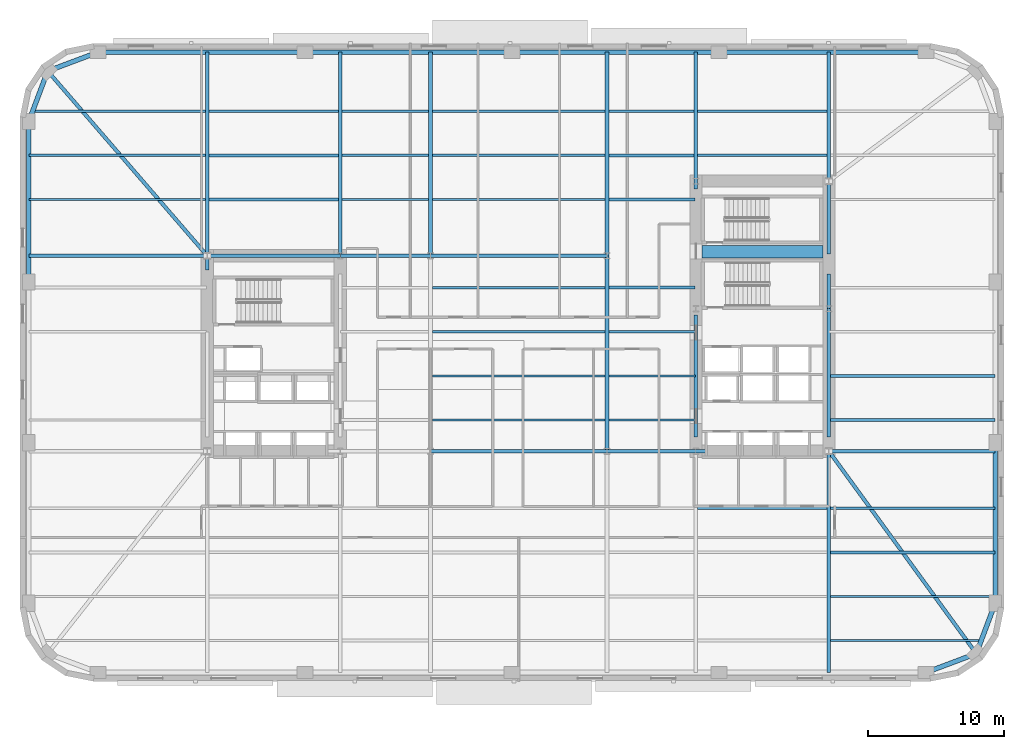
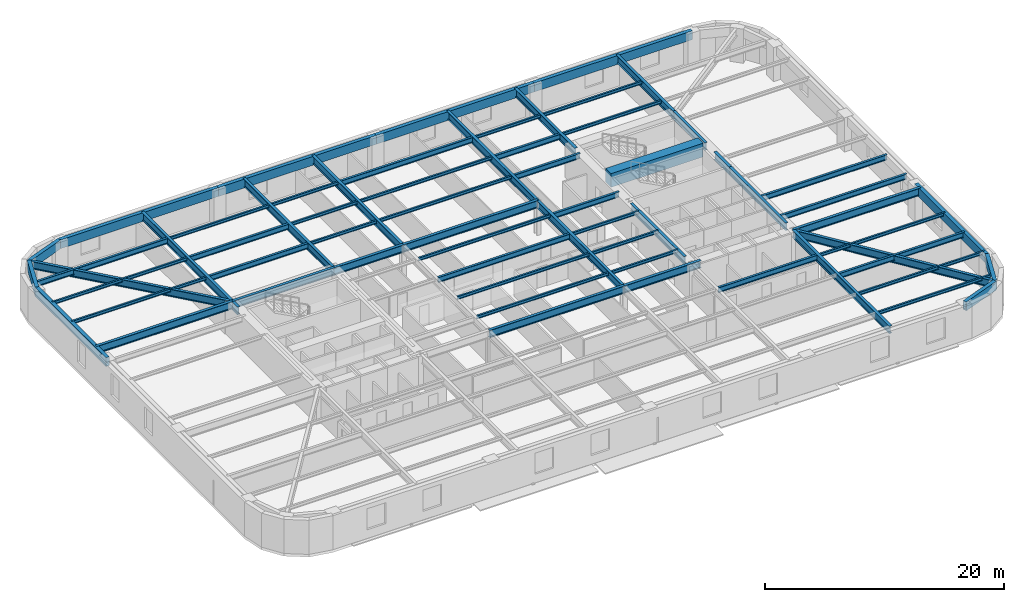
# One storey, part 2 of 14: 64 beams.
"""IFC4 building model written with IfcOpenShell, lengths in metres."""

from ifc_helpers import new_model, si_unit, direction, frame, origin, origin_2d, place, context, subcontext, project, spatial, rectangle, hollow_rectangle, i_section, extrude, material, material_profile, profile_set, type_object, element, save


model = new_model("IFC4")

# Units and contexts
model_context = context("Model", 3, precision=1e-05, world=origin(), true_north=direction((0.0, 1.0)))
body_context = subcontext(model_context, "Body", "Model", "MODEL_VIEW")
ifc_project = project(units=[si_unit("LENGTHUNIT", "METRE"), si_unit("AREAUNIT", "SQUARE_METRE"), si_unit("VOLUMEUNIT", "CUBIC_METRE"), si_unit("PLANEANGLEUNIT", "RADIAN"), si_unit("MASSUNIT", "GRAM", prefix="KILO")], contexts=[model_context])

# Site, building, storey
site_placement = place(None, origin())
site = spatial("IfcSite", under=ifc_project, at=site_placement, CompositionType="ELEMENT")
building_placement = place(site_placement, origin())
building = spatial("IfcBuilding", under=site, at=building_placement, Name="Kolvaren Arena Tower", CompositionType="ELEMENT")
storey_placement = place(building_placement, frame((0.0, 0.0, 87.0)))
storey = spatial("IfcBuildingStorey", under=building, at=storey_placement, Name="L19", CompositionType="ELEMENT", Elevation=87.0)

# Beams
ifc_material_1 = material(Name="Steel CSA G40.21 350W", Category="steel")
ifc_material_profile_1 = material_profile(ifc_material_1, i_section(OverallWidth=0.2119140625, OverallDepth=0.54296875, WebThickness=0.01318359375, FlangeThickness=0.0244140625, FilletRadius=0.013916015625, at=origin_2d()), Name="W530x150")
ifc_profile_set_1 = profile_set([ifc_material_profile_1], Name="Steel CSA G40.21 350W")
beam_type_1 = type_object("IfcBeamType", Name="BEAM-F1", PredefinedType="BEAM", material=ifc_profile_set_1)
beam_1_placement = place(storey_placement, frame((60.485107421875, 12.0, 3.20849609375), z_axis=(1.0, 0.0, 0.0), x_axis=(0.0, 1.0, 0.0)))
element("IfcBeam", 1, at=beam_1_placement, inside=storey, type_object=beam_type_1, Name="Composite Floor Beam (L19)", PredefinedType="BEAM", context=body_context, shape_type="SweptSolid", body=[
    extrude(i_section(OverallWidth=0.2119140625, OverallDepth=0.54296875, WebThickness=0.01318359375, FlangeThickness=0.0244140625, FilletRadius=0.013916015625, at=origin_2d()), origin(), (0.0, 0.0, 1.0), 12.114990234375),
])
beam_2_placement = place(storey_placement, frame((50.68505859375, 15.25, 3.20849609375), z_axis=(1.0, 0.0, 0.0), x_axis=(0.0, 1.0, 0.0)))
element("IfcBeam", 2, at=beam_2_placement, inside=storey, type_object=beam_type_1, Name="Composite Floor Beam (L19)", PredefinedType="BEAM", context=body_context, shape_type="SweptSolid", body=[
    extrude(i_section(OverallWidth=0.2119140625, OverallDepth=0.54296875, WebThickness=0.01318359375, FlangeThickness=0.0244140625, FilletRadius=0.013916015625, at=origin_2d()), origin(), (0.0, 0.0, 1.0), 9.530029296875),
])
for number, where, z_axis, x_axis, name in (
    (3, (60.3701171875, 21.75, 3.20849609375), (1.0, 0.0, 0.0), (0.0, 1.0, 0.0), "Composite Floor Beam (L19)"),
    (4, (60.3701171875, 25.0, 3.20849609375), (1.0, 0.0, 0.0), (0.0, 1.0, 0.0), "Composite Floor Beam (L19)"),
):
    element("IfcBeam", number, at=place(storey_placement, frame(where, z_axis=z_axis, x_axis=x_axis)), inside=storey, type_object=beam_type_1, Name=name, PredefinedType="BEAM", context=body_context, shape_type="SweptSolid", body=[
        extrude(i_section(OverallWidth=0.2119140625, OverallDepth=0.54296875, WebThickness=0.01318359375, FlangeThickness=0.0244140625, FilletRadius=0.013916015625, at=origin_2d()), origin(), (0.0, 0.0, 1.0), 12.22998046875),
    ])
beam_3_placement = place(storey_placement, frame((31.135009765625, 28.25, 3.20849609375), z_axis=(1.0, 0.0, 0.0), x_axis=(0.0, 1.0, 0.0)))
element("IfcBeam", 5, at=beam_3_placement, inside=storey, type_object=beam_type_1, Name="Composite Floor Beam (L19)", PredefinedType="BEAM", context=body_context, shape_type="SweptSolid", body=[
    extrude(i_section(OverallWidth=0.2119140625, OverallDepth=0.54296875, WebThickness=0.01318359375, FlangeThickness=0.0244140625, FilletRadius=0.013916015625, at=origin_2d()), origin(), (0.0, 0.0, 1.0), 12.72998046875),
])
beam_4_placement = place(storey_placement, frame((44.135009765625, 31.5, 3.20849609375), z_axis=(1.0, 0.0, 0.0), x_axis=(0.0, 1.0, 0.0)))
element("IfcBeam", 6, at=beam_4_placement, inside=storey, type_object=beam_type_1, Name="Composite Floor Beam (L19)", PredefinedType="BEAM", context=body_context, shape_type="SweptSolid", body=[
    extrude(i_section(OverallWidth=0.2119140625, OverallDepth=0.54296875, WebThickness=0.01318359375, FlangeThickness=0.0244140625, FilletRadius=0.013916015625, at=origin_2d()), origin(), (0.0, 0.0, 1.0), 6.344970703125),
])
beam_5_placement = place(storey_placement, frame((14.68505859375, 38.0, 3.20849609375), z_axis=(1.0, 0.0, 0.0), x_axis=(0.0, 1.0, 0.0)))
element("IfcBeam", 7, at=beam_5_placement, inside=storey, type_object=beam_type_1, Name="Composite Floor Beam (L19)", PredefinedType="BEAM", context=body_context, shape_type="SweptSolid", body=[
    extrude(i_section(OverallWidth=0.2119140625, OverallDepth=0.54296875, WebThickness=0.01318359375, FlangeThickness=0.0244140625, FilletRadius=0.013916015625, at=origin_2d()), origin(), (0.0, 0.0, 1.0), 9.530029296875),
])
beam_6_placement = place(storey_placement, frame((44.135009765625, 38.0, 3.20849609375), z_axis=(1.0, 0.0, 0.0), x_axis=(0.0, 1.0, 0.0)))
element("IfcBeam", 8, at=beam_6_placement, inside=storey, type_object=beam_type_1, Name="Composite Floor Beam (L19)", PredefinedType="BEAM", context=body_context, shape_type="SweptSolid", body=[
    extrude(i_section(OverallWidth=0.2119140625, OverallDepth=0.54296875, WebThickness=0.01318359375, FlangeThickness=0.0244140625, FilletRadius=0.013916015625, at=origin_2d()), origin(), (0.0, 0.0, 1.0), 6.344970703125),
])
beam_7_placement = place(storey_placement, frame((14.68505859375, 41.25, 3.20849609375), z_axis=(1.0, 0.0, 0.0), x_axis=(0.0, 1.0, 0.0)))
element("IfcBeam", 9, at=beam_7_placement, inside=storey, type_object=beam_type_1, Name="Composite Floor Beam (L19)", PredefinedType="BEAM", context=body_context, shape_type="SweptSolid", body=[
    extrude(i_section(OverallWidth=0.2119140625, OverallDepth=0.54296875, WebThickness=0.01318359375, FlangeThickness=0.0244140625, FilletRadius=0.013916015625, at=origin_2d()), origin(), (0.0, 0.0, 1.0), 9.530029296875),
])
beam_8_placement = place(storey_placement, frame((44.135009765625, 41.25, 3.20849609375), z_axis=(1.0, 0.0, 0.0), x_axis=(0.0, 1.0, 0.0)))
element("IfcBeam", 10, at=beam_8_placement, inside=storey, type_object=beam_type_1, Name="Composite Floor Beam (L19)", PredefinedType="BEAM", context=body_context, shape_type="SweptSolid", body=[
    extrude(i_section(OverallWidth=0.2119140625, OverallDepth=0.54296875, WebThickness=0.01318359375, FlangeThickness=0.0244140625, FilletRadius=0.013916015625, at=origin_2d()), origin(), (0.0, 0.0, 1.0), 6.280029296875),
])
beam_9_placement = place(storey_placement, frame((1.681396484375, 44.5, 3.20849609375), z_axis=(1.0, 0.0, 0.0), x_axis=(0.0, 1.0, 0.0)))
element("IfcBeam", 11, at=beam_9_placement, inside=storey, type_object=beam_type_1, Name="Composite Floor Beam (L19)", PredefinedType="BEAM", context=body_context, shape_type="SweptSolid", body=[
    extrude(i_section(OverallWidth=0.2119140625, OverallDepth=0.54296875, WebThickness=0.01318359375, FlangeThickness=0.0244140625, FilletRadius=0.013916015625, at=origin_2d()), origin(), (0.0, 0.0, 1.0), 12.733642578125),
])
beam_10_placement = place(storey_placement, frame((31.135009765625, 44.5, 3.20849609375), z_axis=(1.0, 0.0, 0.0), x_axis=(0.0, 1.0, 0.0)))
element("IfcBeam", 12, at=beam_10_placement, inside=storey, type_object=beam_type_1, Name="Composite Floor Beam (L19)", PredefinedType="BEAM", context=body_context, shape_type="SweptSolid", body=[
    extrude(i_section(OverallWidth=0.2119140625, OverallDepth=0.54296875, WebThickness=0.01318359375, FlangeThickness=0.0244140625, FilletRadius=0.013916015625, at=origin_2d()), origin(), (0.0, 0.0, 1.0), 12.72998046875),
])
ifc_material_2 = material(Name="Concrete 75 MPa", Category="concrete")
ifc_material_profile_2 = material_profile(ifc_material_2, rectangle(XDim=0.89990234375, YDim=1.39990234375, at=origin_2d()), Name="RC-900x1400")
ifc_profile_set_2 = profile_set([ifc_material_profile_2], Name="Concrete 75 MPa")
beam_type_2 = type_object("IfcBeamType", Name="CB-CORE-1", PredefinedType="BEAM", material=ifc_profile_set_2)
beam_11_placement = place(storey_placement, frame((51.0, 34.14990234375, 3.050048828125), z_axis=(1.0, 0.0, 0.0), x_axis=(0.0, 1.0, 0.0)))
element("IfcBeam", 13, at=beam_11_placement, inside=storey, type_object=beam_type_2, Name="East Core Coupling Beam (L19)", PredefinedType="BEAM", context=body_context, shape_type="SweptSolid", body=[
    extrude(rectangle(XDim=0.89990234375, YDim=1.39990234375, at=origin_2d()), origin(), (0.0, 0.0, 1.0), 8.89990234375),
])
ifc_material_profile_3 = material_profile(ifc_material_1, i_section(OverallWidth=0.27001953125, OverallDepth=0.77294921875, WebThickness=0.019287109375, FlangeThickness=0.033447265625, FilletRadius=0.01806640625, at=origin_2d()), Name="W760x257")
ifc_profile_set_3 = profile_set([ifc_material_profile_3], Name="Steel CSA G40.21 350W")
beam_type_3 = type_object("IfcBeamType", Name="GIRD-T1", PredefinedType="BEAM", material=ifc_profile_set_3)
beam_12_placement = place(storey_placement, frame((71.208740234375, 4.541259765625, 3.093505859375), z_axis=(-0.588737448901, 0.80832432616, 0.0), x_axis=(-0.80832432616, -0.588737448901, 0.0)))
element("IfcBeam", 14, at=beam_12_placement, inside=storey, type_object=beam_type_3, Name="Corner Diagonal Tie Girder (L19)", PredefinedType="BEAM", context=body_context, shape_type="SweptSolid", body=[
    extrude(i_section(OverallWidth=0.27001953125, OverallDepth=0.77294921875, WebThickness=0.019287109375, FlangeThickness=0.033447265625, FilletRadius=0.01806640625, at=origin_2d()), origin(), (0.0, 0.0, 1.0), 18.44384765625),
])
beam_13_placement = place(storey_placement, frame((2.791259765625, 47.458740234375, 3.093505859375), z_axis=(0.653806810332, -0.756661519283, 0.0), x_axis=(0.756661519283, 0.653806810332, 0.0)))
element("IfcBeam", 15, at=beam_13_placement, inside=storey, type_object=beam_type_3, Name="Corner Diagonal Tie Girder (L19)", PredefinedType="BEAM", context=body_context, shape_type="SweptSolid", body=[
    extrude(i_section(OverallWidth=0.27001953125, OverallDepth=0.77294921875, WebThickness=0.019287109375, FlangeThickness=0.033447265625, FilletRadius=0.01806640625, at=origin_2d()), origin(), (0.0, 0.0, 1.0), 17.985107421875),
])
beam_14_placement = place(storey_placement, frame((31.0, 19.449951171875, 3.093505859375), z_axis=(1.0, 0.0, 0.0), x_axis=(0.0, 1.0, 0.0)))
element("IfcBeam", 16, at=beam_14_placement, inside=storey, type_object=beam_type_3, Name="Primary Floor Girder (L19)", PredefinedType="BEAM", context=body_context, shape_type="SweptSolid", body=[
    extrude(i_section(OverallWidth=0.27001953125, OverallDepth=0.77294921875, WebThickness=0.019287109375, FlangeThickness=0.033447265625, FilletRadius=0.01806640625, at=origin_2d()), origin(), (0.0, 0.0, 1.0), 13.0),
])
beam_15_placement = place(storey_placement, frame((44.0, 19.449951171875, 3.093505859375), z_axis=(1.0, 0.0, 0.0), x_axis=(0.0, 1.0, 0.0)))
element("IfcBeam", 17, at=beam_15_placement, inside=storey, type_object=beam_type_3, Name="Primary Floor Girder (L19)", PredefinedType="BEAM", context=body_context, shape_type="SweptSolid", body=[
    extrude(i_section(OverallWidth=0.27001953125, OverallDepth=0.77294921875, WebThickness=0.019287109375, FlangeThickness=0.033447265625, FilletRadius=0.01806640625, at=origin_2d()), origin(), (0.0, 0.0, 1.0), 7.4150390625),
])
beam_16_placement = place(storey_placement, frame((60.35009765625, 19.449951171875, 3.093505859375), z_axis=(1.0, 0.0, 0.0), x_axis=(0.0, 1.0, 0.0)))
element("IfcBeam", 18, at=beam_16_placement, inside=storey, type_object=beam_type_3, Name="Primary Floor Girder (L19)", PredefinedType="BEAM", context=body_context, shape_type="SweptSolid", body=[
    extrude(i_section(OverallWidth=0.27001953125, OverallDepth=0.77294921875, WebThickness=0.019287109375, FlangeThickness=0.033447265625, FilletRadius=0.01806640625, at=origin_2d()), origin(), (0.0, 0.0, 1.0), 12.25),
])
beam_17_placement = place(storey_placement, frame((1.39990234375, 33.85009765625, 3.093505859375), z_axis=(1.0, 0.0, 0.0), x_axis=(0.0, 1.0, 0.0)))
element("IfcBeam", 19, at=beam_17_placement, inside=storey, type_object=beam_type_3, Name="Primary Floor Girder (L19)", PredefinedType="BEAM", context=body_context, shape_type="SweptSolid", body=[
    extrude(i_section(OverallWidth=0.27001953125, OverallDepth=0.77294921875, WebThickness=0.019287109375, FlangeThickness=0.033447265625, FilletRadius=0.01806640625, at=origin_2d()), origin(), (0.0, 0.0, 1.0), 13.150146484375),
])
beam_18_placement = place(storey_placement, frame((14.550048828125, 33.85009765625, 3.093505859375), z_axis=(1.0, 0.0, 0.0), x_axis=(0.0, 1.0, 0.0)))
element("IfcBeam", 20, at=beam_18_placement, inside=storey, type_object=beam_type_3, Name="Primary Floor Girder (L19)", PredefinedType="BEAM", context=body_context, shape_type="SweptSolid", body=[
    extrude(i_section(OverallWidth=0.27001953125, OverallDepth=0.77294921875, WebThickness=0.019287109375, FlangeThickness=0.033447265625, FilletRadius=0.01806640625, at=origin_2d()), origin(), (0.0, 0.0, 1.0), 9.800048828125),
])
beam_19_placement = place(storey_placement, frame((24.35009765625, 33.85009765625, 3.093505859375), z_axis=(1.0, 0.0, 0.0), x_axis=(0.0, 1.0, 0.0)))
element("IfcBeam", 21, at=beam_19_placement, inside=storey, type_object=beam_type_3, Name="Primary Floor Girder (L19)", PredefinedType="BEAM", context=body_context, shape_type="SweptSolid", body=[
    extrude(i_section(OverallWidth=0.27001953125, OverallDepth=0.77294921875, WebThickness=0.019287109375, FlangeThickness=0.033447265625, FilletRadius=0.01806640625, at=origin_2d()), origin(), (0.0, 0.0, 1.0), 6.64990234375),
])
beam_20_placement = place(storey_placement, frame((31.0, 33.85009765625, 3.093505859375), z_axis=(1.0, 0.0, 0.0), x_axis=(0.0, 1.0, 0.0)))
element("IfcBeam", 22, at=beam_20_placement, inside=storey, type_object=beam_type_3, Name="Primary Floor Girder (L19)", PredefinedType="BEAM", context=body_context, shape_type="SweptSolid", body=[
    extrude(i_section(OverallWidth=0.27001953125, OverallDepth=0.77294921875, WebThickness=0.019287109375, FlangeThickness=0.033447265625, FilletRadius=0.01806640625, at=origin_2d()), origin(), (0.0, 0.0, 1.0), 13.0),
])
beam_21_placement = place(storey_placement, frame((14.550048828125, 32.7900390625, 3.093505859375), z_axis=(0.0, 1.0, 0.0), x_axis=(-1.0, 0.0, 0.0)))
element("IfcBeam", 23, at=beam_21_placement, inside=storey, type_object=beam_type_3, Name="Primary Floor Girder (L19)", PredefinedType="BEAM", context=body_context, shape_type="SweptSolid", body=[
    extrude(i_section(OverallWidth=0.27001953125, OverallDepth=0.77294921875, WebThickness=0.019287109375, FlangeThickness=0.033447265625, FilletRadius=0.01806640625, at=origin_2d()), origin(), (0.0, 0.0, 1.0), 16.06005859375),
])
for number, where, z_axis, x_axis, name in (
    (24, (24.35009765625, 33.85009765625, 3.093505859375), (0.0, 1.0, 0.0), (-1.0, 0.0, 0.0), "Primary Floor Girder (L19)"),
    (25, (31.0, 33.85009765625, 3.093505859375), (0.0, 1.0, 0.0), (-1.0, 0.0, 0.0), "Primary Floor Girder (L19)"),
):
    element("IfcBeam", number, at=place(storey_placement, frame(where, z_axis=z_axis, x_axis=x_axis)), inside=storey, type_object=beam_type_3, Name=name, PredefinedType="BEAM", context=body_context, shape_type="SweptSolid", body=[
        extrude(i_section(OverallWidth=0.27001953125, OverallDepth=0.77294921875, WebThickness=0.019287109375, FlangeThickness=0.033447265625, FilletRadius=0.01806640625, at=origin_2d()), origin(), (0.0, 0.0, 1.0), 15.0),
    ])
beam_22_placement = place(storey_placement, frame((44.0, 19.449951171875, 3.093505859375), z_axis=(0.0, 1.0, 0.0), x_axis=(-1.0, 0.0, 0.0)))
element("IfcBeam", 26, at=beam_22_placement, inside=storey, type_object=beam_type_3, Name="Primary Floor Girder (L19)", PredefinedType="BEAM", context=body_context, shape_type="SweptSolid", body=[
    extrude(i_section(OverallWidth=0.27001953125, OverallDepth=0.77294921875, WebThickness=0.019287109375, FlangeThickness=0.033447265625, FilletRadius=0.01806640625, at=origin_2d()), origin(), (0.0, 0.0, 1.0), 14.400146484375),
])
beam_23_placement = place(storey_placement, frame((44.0, 33.85009765625, 3.093505859375), z_axis=(0.0, 1.0, 0.0), x_axis=(-1.0, 0.0, 0.0)))
element("IfcBeam", 27, at=beam_23_placement, inside=storey, type_object=beam_type_3, Name="Primary Floor Girder (L19)", PredefinedType="BEAM", context=body_context, shape_type="SweptSolid", body=[
    extrude(i_section(OverallWidth=0.27001953125, OverallDepth=0.77294921875, WebThickness=0.019287109375, FlangeThickness=0.033447265625, FilletRadius=0.01806640625, at=origin_2d()), origin(), (0.0, 0.0, 1.0), 15.0),
])
beam_24_placement = place(storey_placement, frame((50.550048828125, 20.5, 3.093505859375), z_axis=(0.0, 1.0, 0.0), x_axis=(-1.0, 0.0, 0.0)))
element("IfcBeam", 28, at=beam_24_placement, inside=storey, type_object=beam_type_3, Name="Primary Floor Girder (L19)", PredefinedType="BEAM", context=body_context, shape_type="SweptSolid", body=[
    extrude(i_section(OverallWidth=0.27001953125, OverallDepth=0.77294921875, WebThickness=0.019287109375, FlangeThickness=0.033447265625, FilletRadius=0.01806640625, at=origin_2d()), origin(), (0.0, 0.0, 1.0), 8.989990234375),
])
beam_25_placement = place(storey_placement, frame((50.550048828125, 38.760009765625, 3.093505859375), z_axis=(0.0, 1.0, 0.0), x_axis=(-1.0, 0.0, 0.0)))
element("IfcBeam", 29, at=beam_25_placement, inside=storey, type_object=beam_type_3, Name="Primary Floor Girder (L19)", PredefinedType="BEAM", context=body_context, shape_type="SweptSolid", body=[
    extrude(i_section(OverallWidth=0.27001953125, OverallDepth=0.77294921875, WebThickness=0.019287109375, FlangeThickness=0.033447265625, FilletRadius=0.01806640625, at=origin_2d()), origin(), (0.0, 0.0, 1.0), 10.090087890625),
])
beam_26_placement = place(storey_placement, frame((60.35009765625, 3.14990234375, 3.093505859375), z_axis=(0.0, 1.0, 0.0), x_axis=(-1.0, 0.0, 0.0)))
element("IfcBeam", 30, at=beam_26_placement, inside=storey, type_object=beam_type_3, Name="Primary Floor Girder (L19)", PredefinedType="BEAM", context=body_context, shape_type="SweptSolid", body=[
    extrude(i_section(OverallWidth=0.27001953125, OverallDepth=0.77294921875, WebThickness=0.019287109375, FlangeThickness=0.033447265625, FilletRadius=0.01806640625, at=origin_2d()), origin(), (0.0, 0.0, 1.0), 16.300048828125),
])
beam_27_placement = place(storey_placement, frame((60.35009765625, 20.5, 3.093505859375), z_axis=(0.0, 1.0, 0.0), x_axis=(-1.0, 0.0, 0.0)))
element("IfcBeam", 31, at=beam_27_placement, inside=storey, type_object=beam_type_3, Name="Primary Floor Girder (L19)", PredefinedType="BEAM", context=body_context, shape_type="SweptSolid", body=[
    extrude(i_section(OverallWidth=0.27001953125, OverallDepth=0.77294921875, WebThickness=0.019287109375, FlangeThickness=0.033447265625, FilletRadius=0.01806640625, at=origin_2d()), origin(), (0.0, 0.0, 1.0), 9.449951171875),
])
beam_28_placement = place(storey_placement, frame((60.35009765625, 29.949951171875, 3.093505859375), z_axis=(0.0, 1.0, 0.0), x_axis=(-1.0, 0.0, 0.0)))
element("IfcBeam", 32, at=beam_28_placement, inside=storey, type_object=beam_type_3, Name="Primary Floor Girder (L19)", PredefinedType="BEAM", context=body_context, shape_type="SweptSolid", body=[
    extrude(i_section(OverallWidth=0.27001953125, OverallDepth=0.77294921875, WebThickness=0.019287109375, FlangeThickness=0.033447265625, FilletRadius=0.01806640625, at=origin_2d()), origin(), (0.0, 0.0, 1.0), 2.550048828125),
])
beam_29_placement = place(storey_placement, frame((60.35009765625, 33.985107421875, 3.093505859375), z_axis=(0.0, 1.0, 0.0), x_axis=(-1.0, 0.0, 0.0)))
element("IfcBeam", 33, at=beam_29_placement, inside=storey, type_object=beam_type_3, Name="Primary Floor Girder (L19)", PredefinedType="BEAM", context=body_context, shape_type="SweptSolid", body=[
    extrude(i_section(OverallWidth=0.27001953125, OverallDepth=0.77294921875, WebThickness=0.019287109375, FlangeThickness=0.033447265625, FilletRadius=0.01806640625, at=origin_2d()), origin(), (0.0, 0.0, 1.0), 5.364990234375),
])
beam_30_placement = place(storey_placement, frame((60.35009765625, 39.35009765625, 3.093505859375), z_axis=(0.0, 1.0, 0.0), x_axis=(-1.0, 0.0, 0.0)))
element("IfcBeam", 34, at=beam_30_placement, inside=storey, type_object=beam_type_3, Name="Primary Floor Girder (L19)", PredefinedType="BEAM", context=body_context, shape_type="SweptSolid", body=[
    extrude(i_section(OverallWidth=0.27001953125, OverallDepth=0.77294921875, WebThickness=0.019287109375, FlangeThickness=0.033447265625, FilletRadius=0.01806640625, at=origin_2d()), origin(), (0.0, 0.0, 1.0), 9.5),
])
ifc_material_profile_4 = material_profile(ifc_material_1, i_section(OverallWidth=0.1669921875, OverallDepth=0.31689453125, WebThickness=0.007568359375, FlangeThickness=0.01318359375, FilletRadius=0.010009765625, at=origin_2d()), Name="W310x52")
ifc_profile_set_4 = profile_set([ifc_material_profile_4], Name="Steel CSA G40.21 350W")
beam_type_4 = type_object("IfcBeamType", Name="JOIST-02", PredefinedType="JOIST", material=ifc_profile_set_4)
beam_31_placement = place(storey_placement, frame((60.485107421875, 5.5, 3.321533203125), z_axis=(1.0, 0.0, 0.0), x_axis=(0.0, 1.0, 0.0)))
element("IfcBeam", 35, at=beam_31_placement, inside=storey, type_object=beam_type_4, Name="Composite Floor Joist (L19)", PredefinedType="JOIST", context=body_context, shape_type="SweptSolid", body=[
    extrude(i_section(OverallWidth=0.1669921875, OverallDepth=0.31689453125, WebThickness=0.007568359375, FlangeThickness=0.01318359375, FilletRadius=0.010009765625, at=origin_2d()), origin(), (0.0, 0.0, 1.0), 11.08349609375),
])
for number, where, z_axis, x_axis, name in (
    (36, (60.485107421875, 8.75, 3.321533203125), (1.0, 0.0, 0.0), (0.0, 1.0, 0.0), "Composite Floor Joist (L19)"),
    (37, (60.485107421875, 15.25, 3.321533203125), (1.0, 0.0, 0.0), (0.0, 1.0, 0.0), "Composite Floor Joist (L19)"),
):
    element("IfcBeam", number, at=place(storey_placement, frame(where, z_axis=z_axis, x_axis=x_axis)), inside=storey, type_object=beam_type_4, Name=name, PredefinedType="JOIST", context=body_context, shape_type="SweptSolid", body=[
        extrude(i_section(OverallWidth=0.1669921875, OverallDepth=0.31689453125, WebThickness=0.007568359375, FlangeThickness=0.01318359375, FilletRadius=0.010009765625, at=origin_2d()), origin(), (0.0, 0.0, 1.0), 12.114990234375),
    ])
beam_32_placement = place(storey_placement, frame((31.135009765625, 21.75, 3.321533203125), z_axis=(1.0, 0.0, 0.0), x_axis=(0.0, 1.0, 0.0)))
element("IfcBeam", 38, at=beam_32_placement, inside=storey, type_object=beam_type_4, Name="Composite Floor Joist (L19)", PredefinedType="JOIST", context=body_context, shape_type="SweptSolid", body=[
    extrude(i_section(OverallWidth=0.1669921875, OverallDepth=0.31689453125, WebThickness=0.007568359375, FlangeThickness=0.01318359375, FilletRadius=0.010009765625, at=origin_2d()), origin(), (0.0, 0.0, 1.0), 12.72998046875),
])
beam_33_placement = place(storey_placement, frame((44.135009765625, 21.75, 3.321533203125), z_axis=(1.0, 0.0, 0.0), x_axis=(0.0, 1.0, 0.0)))
element("IfcBeam", 39, at=beam_33_placement, inside=storey, type_object=beam_type_4, Name="Composite Floor Joist (L19)", PredefinedType="JOIST", context=body_context, shape_type="SweptSolid", body=[
    extrude(i_section(OverallWidth=0.1669921875, OverallDepth=0.31689453125, WebThickness=0.007568359375, FlangeThickness=0.01318359375, FilletRadius=0.010009765625, at=origin_2d()), origin(), (0.0, 0.0, 1.0), 6.39501953125),
])
beam_34_placement = place(storey_placement, frame((31.135009765625, 25.0, 3.321533203125), z_axis=(1.0, 0.0, 0.0), x_axis=(0.0, 1.0, 0.0)))
element("IfcBeam", 40, at=beam_34_placement, inside=storey, type_object=beam_type_4, Name="Composite Floor Joist (L19)", PredefinedType="JOIST", context=body_context, shape_type="SweptSolid", body=[
    extrude(i_section(OverallWidth=0.1669921875, OverallDepth=0.31689453125, WebThickness=0.007568359375, FlangeThickness=0.01318359375, FilletRadius=0.010009765625, at=origin_2d()), origin(), (0.0, 0.0, 1.0), 12.72998046875),
])
for number, where, z_axis, x_axis, name in (
    (41, (44.135009765625, 25.0, 3.321533203125), (1.0, 0.0, 0.0), (0.0, 1.0, 0.0), "Composite Floor Joist (L19)"),
    (42, (44.135009765625, 28.25, 3.321533203125), (1.0, 0.0, 0.0), (0.0, 1.0, 0.0), "Composite Floor Joist (L19)"),
):
    element("IfcBeam", number, at=place(storey_placement, frame(where, z_axis=z_axis, x_axis=x_axis)), inside=storey, type_object=beam_type_4, Name=name, PredefinedType="JOIST", context=body_context, shape_type="SweptSolid", body=[
        extrude(i_section(OverallWidth=0.1669921875, OverallDepth=0.31689453125, WebThickness=0.007568359375, FlangeThickness=0.01318359375, FilletRadius=0.010009765625, at=origin_2d()), origin(), (0.0, 0.0, 1.0), 6.39501953125),
    ])
beam_35_placement = place(storey_placement, frame((31.135009765625, 31.5, 3.321533203125), z_axis=(1.0, 0.0, 0.0), x_axis=(0.0, 1.0, 0.0)))
element("IfcBeam", 43, at=beam_35_placement, inside=storey, type_object=beam_type_4, Name="Composite Floor Joist (L19)", PredefinedType="JOIST", context=body_context, shape_type="SweptSolid", body=[
    extrude(i_section(OverallWidth=0.1669921875, OverallDepth=0.31689453125, WebThickness=0.007568359375, FlangeThickness=0.01318359375, FilletRadius=0.010009765625, at=origin_2d()), origin(), (0.0, 0.0, 1.0), 12.72998046875),
])
beam_36_placement = place(storey_placement, frame((1.39990234375, 38.0, 3.321533203125), z_axis=(1.0, 0.0, 0.0), x_axis=(0.0, 1.0, 0.0)))
element("IfcBeam", 44, at=beam_36_placement, inside=storey, type_object=beam_type_4, Name="Composite Floor Joist (L19)", PredefinedType="JOIST", context=body_context, shape_type="SweptSolid", body=[
    extrude(i_section(OverallWidth=0.1669921875, OverallDepth=0.31689453125, WebThickness=0.007568359375, FlangeThickness=0.01318359375, FilletRadius=0.010009765625, at=origin_2d()), origin(), (0.0, 0.0, 1.0), 13.01513671875),
])
beam_37_placement = place(storey_placement, frame((24.485107421875, 38.0, 3.321533203125), z_axis=(1.0, 0.0, 0.0), x_axis=(0.0, 1.0, 0.0)))
element("IfcBeam", 45, at=beam_37_placement, inside=storey, type_object=beam_type_4, Name="Composite Floor Joist (L19)", PredefinedType="JOIST", context=body_context, shape_type="SweptSolid", body=[
    extrude(i_section(OverallWidth=0.1669921875, OverallDepth=0.31689453125, WebThickness=0.007568359375, FlangeThickness=0.01318359375, FilletRadius=0.010009765625, at=origin_2d()), origin(), (0.0, 0.0, 1.0), 6.3798828125),
])
beam_38_placement = place(storey_placement, frame((31.135009765625, 38.0, 3.321533203125), z_axis=(1.0, 0.0, 0.0), x_axis=(0.0, 1.0, 0.0)))
element("IfcBeam", 46, at=beam_38_placement, inside=storey, type_object=beam_type_4, Name="Composite Floor Joist (L19)", PredefinedType="JOIST", context=body_context, shape_type="SweptSolid", body=[
    extrude(i_section(OverallWidth=0.1669921875, OverallDepth=0.31689453125, WebThickness=0.007568359375, FlangeThickness=0.01318359375, FilletRadius=0.010009765625, at=origin_2d()), origin(), (0.0, 0.0, 1.0), 12.72998046875),
])
beam_39_placement = place(storey_placement, frame((1.39990234375, 41.25, 3.321533203125), z_axis=(1.0, 0.0, 0.0), x_axis=(0.0, 1.0, 0.0)))
element("IfcBeam", 47, at=beam_39_placement, inside=storey, type_object=beam_type_4, Name="Composite Floor Joist (L19)", PredefinedType="JOIST", context=body_context, shape_type="SweptSolid", body=[
    extrude(i_section(OverallWidth=0.1669921875, OverallDepth=0.31689453125, WebThickness=0.007568359375, FlangeThickness=0.01318359375, FilletRadius=0.010009765625, at=origin_2d()), origin(), (0.0, 0.0, 1.0), 13.01513671875),
])
beam_40_placement = place(storey_placement, frame((24.485107421875, 41.25, 3.321533203125), z_axis=(1.0, 0.0, 0.0), x_axis=(0.0, 1.0, 0.0)))
element("IfcBeam", 48, at=beam_40_placement, inside=storey, type_object=beam_type_4, Name="Composite Floor Joist (L19)", PredefinedType="JOIST", context=body_context, shape_type="SweptSolid", body=[
    extrude(i_section(OverallWidth=0.1669921875, OverallDepth=0.31689453125, WebThickness=0.007568359375, FlangeThickness=0.01318359375, FilletRadius=0.010009765625, at=origin_2d()), origin(), (0.0, 0.0, 1.0), 6.3798828125),
])
beam_41_placement = place(storey_placement, frame((31.135009765625, 41.25, 3.321533203125), z_axis=(1.0, 0.0, 0.0), x_axis=(0.0, 1.0, 0.0)))
element("IfcBeam", 49, at=beam_41_placement, inside=storey, type_object=beam_type_4, Name="Composite Floor Joist (L19)", PredefinedType="JOIST", context=body_context, shape_type="SweptSolid", body=[
    extrude(i_section(OverallWidth=0.1669921875, OverallDepth=0.31689453125, WebThickness=0.007568359375, FlangeThickness=0.01318359375, FilletRadius=0.010009765625, at=origin_2d()), origin(), (0.0, 0.0, 1.0), 12.72998046875),
])
for number, where, z_axis, x_axis, name in (
    (50, (50.68505859375, 41.25, 3.321533203125), (1.0, 0.0, 0.0), (0.0, 1.0, 0.0), "Composite Floor Joist (L19)"),
    (51, (14.68505859375, 44.5, 3.321533203125), (1.0, 0.0, 0.0), (0.0, 1.0, 0.0), "Composite Floor Joist (L19)"),
):
    element("IfcBeam", number, at=place(storey_placement, frame(where, z_axis=z_axis, x_axis=x_axis)), inside=storey, type_object=beam_type_4, Name=name, PredefinedType="JOIST", context=body_context, shape_type="SweptSolid", body=[
        extrude(i_section(OverallWidth=0.1669921875, OverallDepth=0.31689453125, WebThickness=0.007568359375, FlangeThickness=0.01318359375, FilletRadius=0.010009765625, at=origin_2d()), origin(), (0.0, 0.0, 1.0), 9.530029296875),
    ])
beam_42_placement = place(storey_placement, frame((24.485107421875, 44.5, 3.321533203125), z_axis=(1.0, 0.0, 0.0), x_axis=(0.0, 1.0, 0.0)))
element("IfcBeam", 52, at=beam_42_placement, inside=storey, type_object=beam_type_4, Name="Composite Floor Joist (L19)", PredefinedType="JOIST", context=body_context, shape_type="SweptSolid", body=[
    extrude(i_section(OverallWidth=0.1669921875, OverallDepth=0.31689453125, WebThickness=0.007568359375, FlangeThickness=0.01318359375, FilletRadius=0.010009765625, at=origin_2d()), origin(), (0.0, 0.0, 1.0), 6.3798828125),
])
beam_43_placement = place(storey_placement, frame((44.135009765625, 44.5, 3.321533203125), z_axis=(1.0, 0.0, 0.0), x_axis=(0.0, 1.0, 0.0)))
element("IfcBeam", 53, at=beam_43_placement, inside=storey, type_object=beam_type_4, Name="Composite Floor Joist (L19)", PredefinedType="JOIST", context=body_context, shape_type="SweptSolid", body=[
    extrude(i_section(OverallWidth=0.1669921875, OverallDepth=0.31689453125, WebThickness=0.007568359375, FlangeThickness=0.01318359375, FilletRadius=0.010009765625, at=origin_2d()), origin(), (0.0, 0.0, 1.0), 6.280029296875),
])
beam_44_placement = place(storey_placement, frame((50.68505859375, 44.5, 3.321533203125), z_axis=(1.0, 0.0, 0.0), x_axis=(0.0, 1.0, 0.0)))
element("IfcBeam", 54, at=beam_44_placement, inside=storey, type_object=beam_type_4, Name="Composite Floor Joist (L19)", PredefinedType="JOIST", context=body_context, shape_type="SweptSolid", body=[
    extrude(i_section(OverallWidth=0.1669921875, OverallDepth=0.31689453125, WebThickness=0.007568359375, FlangeThickness=0.01318359375, FilletRadius=0.010009765625, at=origin_2d()), origin(), (0.0, 0.0, 1.0), 9.530029296875),
])
ifc_material_3 = material(Name="Steel CSA G40.21 350WT", Category="steel")
ifc_material_profile_5 = material_profile(ifc_material_3, hollow_rectangle(XDim=0.35009765625, YDim=0.89990234375, WallThickness=0.02001953125, at=origin_2d()), Name="HSS 900x350x20")
ifc_profile_set_5 = profile_set([ifc_material_profile_5], Name="Steel CSA G40.21 350WT")
beam_type_5 = type_object("IfcBeamType", Name="SPAND-01", PredefinedType="SPANDREL", material=ifc_profile_set_5)
for number, where, z_axis, x_axis, name in (
    (55, (67.5, 3.14990234375, 3.030029296875), (0.93628104365, 0.351251771955, 0.0), (-0.351251771955, 0.93628104365, 0.0), "Perimeter Spandrel Beam (L19)"),
    (56, (71.208740234375, 4.541259765625, 3.030029296875), (0.351251771955, 0.93628104365, 0.0), (-0.93628104365, 0.351251771955, 0.0), "Perimeter Spandrel Beam (L19)"),
):
    element("IfcBeam", number, at=place(storey_placement, frame(where, z_axis=z_axis, x_axis=x_axis)), inside=storey, type_object=beam_type_5, Name=name, PredefinedType="SPANDREL", context=body_context, shape_type="SweptSolid", body=[
        extrude(hollow_rectangle(XDim=0.35009765625, YDim=0.89990234375, WallThickness=0.02001953125, at=origin_2d()), origin(), (0.0, 0.0, 1.0), 3.961181640625),
    ])
beam_45_placement = place(storey_placement, frame((72.60009765625, 8.25, 3.030029296875), z_axis=(0.0, 1.0, 0.0), x_axis=(-1.0, 0.0, 0.0)))
element("IfcBeam", 57, at=beam_45_placement, inside=storey, type_object=beam_type_5, Name="Perimeter Spandrel Beam (L19)", PredefinedType="SPANDREL", context=body_context, shape_type="SweptSolid", body=[
    extrude(hollow_rectangle(XDim=0.35009765625, YDim=0.89990234375, WallThickness=0.02001953125, at=origin_2d()), origin(), (0.0, 0.0, 1.0), 11.833251953125),
])
for number, where, z_axis, x_axis, name in (
    (58, (67.5, 48.85009765625, 3.030029296875), (-1.0, 0.0, 0.0), (0.0, -1.0, 0.0), "Perimeter Spandrel Beam (L19)"),
    (59, (52.25, 48.85009765625, 3.030029296875), (-1.0, 0.0, 0.0), (0.0, -1.0, 0.0), "Perimeter Spandrel Beam (L19)"),
    (60, (37.0, 48.85009765625, 3.030029296875), (-1.0, 0.0, 0.0), (0.0, -1.0, 0.0), "Perimeter Spandrel Beam (L19)"),
    (61, (21.75, 48.85009765625, 3.030029296875), (-1.0, 0.0, 0.0), (0.0, -1.0, 0.0), "Perimeter Spandrel Beam (L19)"),
):
    element("IfcBeam", number, at=place(storey_placement, frame(where, z_axis=z_axis, x_axis=x_axis)), inside=storey, type_object=beam_type_5, Name=name, PredefinedType="SPANDREL", context=body_context, shape_type="SweptSolid", body=[
        extrude(hollow_rectangle(XDim=0.35009765625, YDim=0.89990234375, WallThickness=0.02001953125, at=origin_2d()), origin(), (0.0, 0.0, 1.0), 15.25),
    ])
for number, where, z_axis, x_axis, name in (
    (62, (6.5, 48.85009765625, 3.030029296875), (-0.93628104365, -0.351251771955, 0.0), (0.351251771955, -0.93628104365, 0.0), "Perimeter Spandrel Beam (L19)"),
    (63, (2.791259765625, 47.458740234375, 3.030029296875), (-0.351251771955, -0.93628104365, 0.0), (0.93628104365, -0.351251771955, 0.0), "Perimeter Spandrel Beam (L19)"),
):
    element("IfcBeam", number, at=place(storey_placement, frame(where, z_axis=z_axis, x_axis=x_axis)), inside=storey, type_object=beam_type_5, Name=name, PredefinedType="SPANDREL", context=body_context, shape_type="SweptSolid", body=[
        extrude(hollow_rectangle(XDim=0.35009765625, YDim=0.89990234375, WallThickness=0.02001953125, at=origin_2d()), origin(), (0.0, 0.0, 1.0), 3.961181640625),
    ])
beam_46_placement = place(storey_placement, frame((1.39990234375, 43.75, 3.030029296875), z_axis=(0.0, -1.0, 0.0), x_axis=(1.0, 0.0, 0.0)))
element("IfcBeam", 64, at=beam_46_placement, inside=storey, type_object=beam_type_5, Name="Perimeter Spandrel Beam (L19)", PredefinedType="SPANDREL", context=body_context, shape_type="SweptSolid", body=[
    extrude(hollow_rectangle(XDim=0.35009765625, YDim=0.89990234375, WallThickness=0.02001953125, at=origin_2d()), origin(), (0.0, 0.0, 1.0), 11.833251953125),
])

save(model, "model.ifc")
